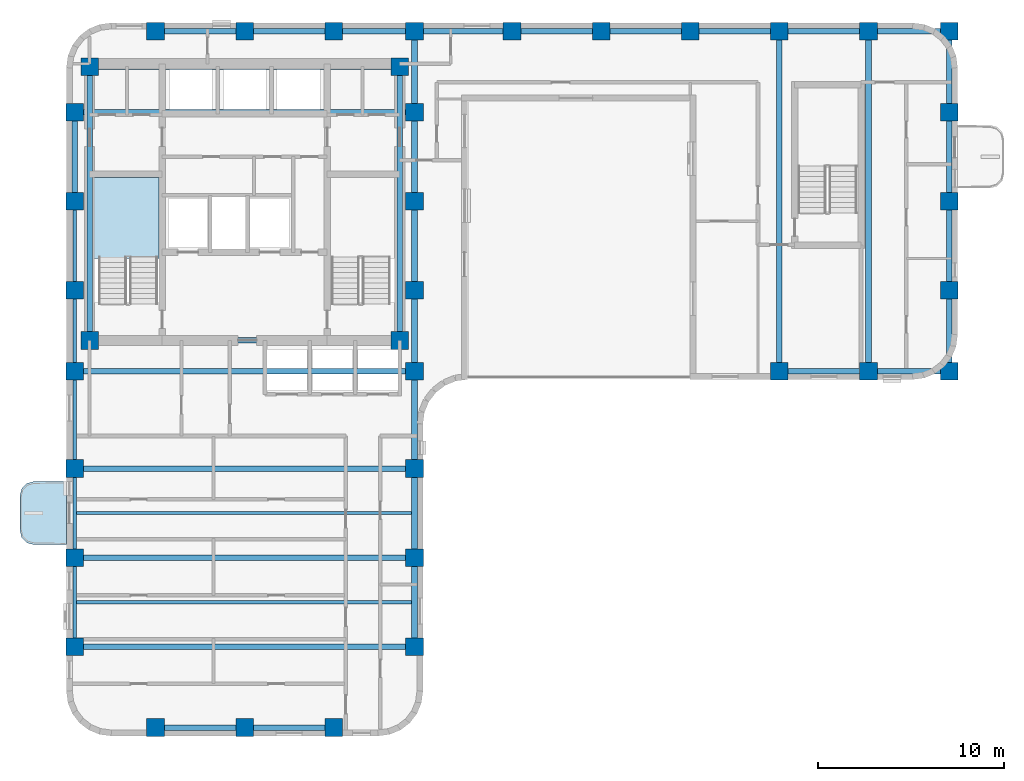
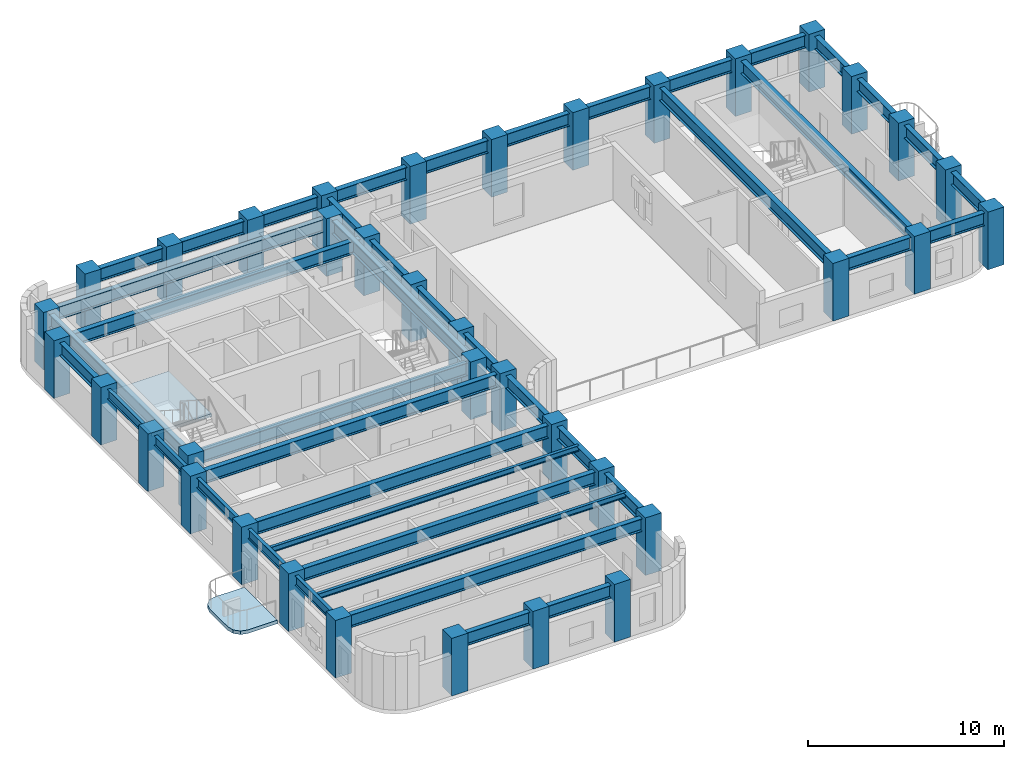
# One storey, part 1 of 9: 43 beams, 37 columns, 2 slabs, 1 element without a shape of its own.
"""IFC4 building model written with IfcOpenShell, lengths in metres."""

from ifc_helpers import new_model, si_unit, direction, frame, origin, origin_2d, place, context, subcontext, project, spatial, polyline, rectangle, i_section, outline, extrude, material, layer, layer_set, material_profile, profile_set, type_object, element, aggregate, save


model = new_model("IFC4")

# Units and contexts
model_context = context("Model", 3, precision=1e-05, world=origin(), true_north=direction((0.0, 1.0)))
body_context = subcontext(model_context, "Body", "Model", "MODEL_VIEW")
ifc_project = project(units=[si_unit("LENGTHUNIT", "METRE"), si_unit("AREAUNIT", "SQUARE_METRE"), si_unit("VOLUMEUNIT", "CUBIC_METRE"), si_unit("PLANEANGLEUNIT", "RADIAN"), si_unit("MASSUNIT", "GRAM", prefix="KILO")], contexts=[model_context])

# Site, building, storey
site_placement = place(None, origin())
site = spatial("IfcSite", under=ifc_project, at=site_placement, CompositionType="ELEMENT")
building_placement = place(site_placement, origin())
building = spatial("IfcBuilding", under=site, at=building_placement, Name="Orvandelia Arch Residences", CompositionType="ELEMENT")
storey_placement = place(building_placement, frame((0.0, 0.0, 154.0)))
storey = spatial("IfcBuildingStorey", under=building, at=storey_placement, Name="L40", CompositionType="ELEMENT", Elevation=154.0)

# Columns
ifc_material_1 = material(Name="Concrete C60/75", Category="concrete")
ifc_material_profile_1 = material_profile(ifc_material_1, rectangle(XDim=0.949951171875, YDim=0.949951171875, at=origin_2d()), Name="Concrete C60/75", Category="concrete")
ifc_profile_set_1 = profile_set([ifc_material_profile_1], Name="Concrete C60/75")
column_type = type_object("IfcColumnType", Name="COL-TWR-950", PredefinedType="COLUMN", material=ifc_profile_set_1)
for number, where, z_axis, x_axis, name in (
    (1, (5.25, 14.39990234375, 0.0), (0.0, 0.0, 1.0), (1.0, 0.0, 0.0), "Structural Column L40-W-W-144"),
    (2, (5.25, 19.199951171875, 0.0), (0.0, 0.0, 1.0), (1.0, 0.0, 0.0), "Structural Column L40-W-W-192"),
    (3, (5.25, 24.0, 0.0), (0.0, 0.0, 1.0), (1.0, 0.0, 0.0), "Structural Column L40-W-W-240"),
    (4, (5.25, 29.25, 0.0), (0.0, 0.0, 1.0), (1.0, 0.0, 0.0), "Structural Column L40-W-W-292"),
    (5, (5.25, 33.60009765625, 0.0), (0.0, 0.0, 1.0), (1.0, 0.0, 0.0), "Structural Column L40-W-W-336"),
    (6, (5.25, 38.39990234375, 0.0), (0.0, 0.0, 1.0), (1.0, 0.0, 0.0), "Structural Column L40-W-W-384"),
    (7, (5.25, 43.199951171875, 0.0), (0.0, 0.0, 1.0), (1.0, 0.0, 0.0), "Structural Column L40-W-W-432"),
    (8, (6.050048828125, 30.89990234375, 0.0), (0.0, 0.0, 1.0), (1.0, 0.0, 0.0), "Structural Column L40-CR-SW"),
    (9, (6.050048828125, 45.64990234375, 0.0), (0.0, 0.0, 1.0), (1.0, 0.0, 0.0), "Structural Column L40-CR-NW"),
    (10, (9.60009765625, 10.050048828125, 0.0), (0.0, 0.0, 1.0), (1.0, 0.0, 0.0), "Structural Column L40-W-S-96"),
    (11, (9.60009765625, 47.550048828125, 0.0), (0.0, 0.0, 1.0), (1.0, 0.0, 0.0), "Structural Column L40-W-N-96"),
    (12, (14.39990234375, 10.050048828125, 0.0), (0.0, 0.0, 1.0), (1.0, 0.0, 0.0), "Structural Column L40-W-S-144"),
    (13, (14.39990234375, 47.550048828125, 0.0), (0.0, 0.0, 1.0), (1.0, 0.0, 0.0), "Structural Column L40-W-N-144"),
    (14, (19.199951171875, 10.050048828125, 0.0), (0.0, 0.0, 1.0), (1.0, 0.0, 0.0), "Structural Column L40-W-S-192"),
    (15, (19.199951171875, 47.550048828125, 0.0), (0.0, 0.0, 1.0), (1.0, 0.0, 0.0), "Structural Column L40-W-N-192"),
    (16, (22.75, 30.89990234375, 0.0), (0.0, 0.0, 1.0), (1.0, 0.0, 0.0), "Structural Column L40-CR-SE"),
    (17, (22.75, 45.64990234375, 0.0), (0.0, 0.0, 1.0), (1.0, 0.0, 0.0), "Structural Column L40-CR-NE"),
    (18, (23.550048828125, 14.39990234375, 0.0), (0.0, 0.0, 1.0), (1.0, 0.0, 0.0), "Structural Column L40-W-E-144"),
    (19, (23.550048828125, 19.199951171875, 0.0), (0.0, 0.0, 1.0), (1.0, 0.0, 0.0), "Structural Column L40-W-E-192"),
    (20, (23.550048828125, 24.0, 0.0), (0.0, 0.0, 1.0), (1.0, 0.0, 0.0), "Structural Column L40-W-E-240"),
    (21, (23.550048828125, 29.25, 0.0), (0.0, 0.0, 1.0), (1.0, 0.0, 0.0), "Structural Column L40-W-E-292"),
    (22, (23.550048828125, 33.60009765625, 0.0), (0.0, 0.0, 1.0), (1.0, 0.0, 0.0), "Structural Column L40-W-E-336"),
    (23, (23.550048828125, 38.39990234375, 0.0), (0.0, 0.0, 1.0), (1.0, 0.0, 0.0), "Structural Column L40-W-E-384"),
    (24, (23.550048828125, 43.199951171875, 0.0), (0.0, 0.0, 1.0), (1.0, 0.0, 0.0), "Structural Column L40-W-E-432"),
    (25, (23.550048828125, 47.550048828125, 0.0), (0.0, 0.0, 1.0), (1.0, 0.0, 0.0), "Structural Column L40-W-N-235"),
    (26, (28.800048828125, 47.550048828125, 0.0), (0.0, 0.0, 1.0), (1.0, 0.0, 0.0), "Structural Column L40-E-N-288"),
    (27, (33.60009765625, 47.550048828125, 0.0), (0.0, 0.0, 1.0), (1.0, 0.0, 0.0), "Structural Column L40-E-N-336"),
    (28, (38.39990234375, 47.550048828125, 0.0), (0.0, 0.0, 1.0), (1.0, 0.0, 0.0), "Structural Column L40-E-N-384"),
    (29, (43.199951171875, 29.25, 0.0), (0.0, 0.0, 1.0), (1.0, 0.0, 0.0), "Structural Column L40-E-S-432"),
    (30, (43.199951171875, 47.550048828125, 0.0), (0.0, 0.0, 1.0), (1.0, 0.0, 0.0), "Structural Column L40-E-N-432"),
    (31, (48.0, 29.25, 0.0), (0.0, 0.0, 1.0), (1.0, 0.0, 0.0), "Structural Column L40-E-S-480"),
    (32, (48.0, 47.550048828125, 0.0), (0.0, 0.0, 1.0), (1.0, 0.0, 0.0), "Structural Column L40-E-N-480"),
    (33, (52.35009765625, 29.25, 0.0), (0.0, 0.0, 1.0), (1.0, 0.0, 0.0), "Structural Column L40-E-S-523"),
    (34, (52.35009765625, 33.60009765625, 0.0), (0.0, 0.0, 1.0), (1.0, 0.0, 0.0), "Structural Column L40-E-523-336"),
    (35, (52.35009765625, 38.39990234375, 0.0), (0.0, 0.0, 1.0), (1.0, 0.0, 0.0), "Structural Column L40-E-523-384"),
    (36, (52.35009765625, 43.199951171875, 0.0), (0.0, 0.0, 1.0), (1.0, 0.0, 0.0), "Structural Column L40-E-523-432"),
    (37, (52.35009765625, 47.550048828125, 0.0), (0.0, 0.0, 1.0), (1.0, 0.0, 0.0), "Structural Column L40-E-N-523"),
):
    element("IfcColumn", number, at=place(storey_placement, frame(where, z_axis=z_axis, x_axis=x_axis)), inside=storey, type_object=column_type, Name=name, PredefinedType="COLUMN", context=body_context, shape_type="SweptSolid", body=[
        extrude(rectangle(XDim=0.949951171875, YDim=0.949951171875, at=origin_2d()), origin(), (0.0, 0.0, 1.0), 3.60009765625),
    ])

# Beams
ifc_material_2 = material(Name="Structural Steel SM355 (355 MPa)", Category="steel")
ifc_material_profile_2 = material_profile(ifc_material_2, i_section(OverallWidth=0.300048828125, OverallDepth=0.800048828125, WebThickness=0.013916015625, FlangeThickness=0.02587890625, FilletRadius=0.02587890625, at=origin_2d()), Name="Structural Steel SM355 (355 MPa)", Category="steel")
ifc_profile_set_2 = profile_set([ifc_material_profile_2], Name="Structural Steel SM355 (355 MPa)")
beam_type_1 = type_object("IfcBeamType", Name="BM-GRD-H800", PredefinedType="BEAM", material=ifc_profile_set_2)
beam_1_placement = place(storey_placement, frame((5.25, 38.39990234375, 2.9599609375), z_axis=(0.0, 1.0, 0.0), x_axis=(-1.0, 0.0, 0.0)))
element("IfcBeam", 38, at=beam_1_placement, inside=storey, type_object=beam_type_1, Name="Structural Frame Beam L40-NS-006", PredefinedType="BEAM", context=body_context, shape_type="SweptSolid", body=[
    extrude(i_section(OverallWidth=0.300048828125, OverallDepth=0.800048828125, WebThickness=0.013916015625, FlangeThickness=0.02587890625, FilletRadius=0.02587890625, at=origin_2d()), origin(), (0.0, 0.0, 1.0), 4.800048828125),
])
for number, where, z_axis, x_axis, name in (
    (39, (6.050048828125, 30.89990234375, 2.9599609375), (0.0, 1.0, 0.0), (-1.0, 0.0, 0.0), "Structural Frame Beam L40-NS-007"),
    (40, (22.75, 30.89990234375, 2.9599609375), (0.0, 1.0, 0.0), (-1.0, 0.0, 0.0), "Structural Frame Beam L40-NS-008"),
):
    element("IfcBeam", number, at=place(storey_placement, frame(where, z_axis=z_axis, x_axis=x_axis)), inside=storey, type_object=beam_type_1, Name=name, PredefinedType="BEAM", context=body_context, shape_type="SweptSolid", body=[
        extrude(i_section(OverallWidth=0.300048828125, OverallDepth=0.800048828125, WebThickness=0.013916015625, FlangeThickness=0.02587890625, FilletRadius=0.02587890625, at=origin_2d()), origin(), (0.0, 0.0, 1.0), 14.75),
    ])
for number, where, z_axis, x_axis, name in (
    (41, (23.550048828125, 14.39990234375, 2.9599609375), (0.0, 1.0, 0.0), (-1.0, 0.0, 0.0), "Structural Frame Beam L40-NS-009"),
    (42, (23.550048828125, 19.199951171875, 2.9599609375), (0.0, 1.0, 0.0), (-1.0, 0.0, 0.0), "Structural Frame Beam L40-NS-010"),
):
    element("IfcBeam", number, at=place(storey_placement, frame(where, z_axis=z_axis, x_axis=x_axis)), inside=storey, type_object=beam_type_1, Name=name, PredefinedType="BEAM", context=body_context, shape_type="SweptSolid", body=[
        extrude(i_section(OverallWidth=0.300048828125, OverallDepth=0.800048828125, WebThickness=0.013916015625, FlangeThickness=0.02587890625, FilletRadius=0.02587890625, at=origin_2d()), origin(), (0.0, 0.0, 1.0), 4.800048828125),
    ])
beam_2_placement = place(storey_placement, frame((23.550048828125, 24.0, 2.9599609375), z_axis=(0.0, 1.0, 0.0), x_axis=(-1.0, 0.0, 0.0)))
element("IfcBeam", 43, at=beam_2_placement, inside=storey, type_object=beam_type_1, Name="Structural Frame Beam L40-NS-011", PredefinedType="BEAM", context=body_context, shape_type="SweptSolid", body=[
    extrude(i_section(OverallWidth=0.300048828125, OverallDepth=0.800048828125, WebThickness=0.013916015625, FlangeThickness=0.02587890625, FilletRadius=0.02587890625, at=origin_2d()), origin(), (0.0, 0.0, 1.0), 5.25),
])
beam_3_placement = place(storey_placement, frame((23.550048828125, 29.25, 2.9599609375), z_axis=(0.0, 1.0, 0.0), x_axis=(-1.0, 0.0, 0.0)))
element("IfcBeam", 44, at=beam_3_placement, inside=storey, type_object=beam_type_1, Name="Structural Frame Beam L40-NS-012", PredefinedType="BEAM", context=body_context, shape_type="SweptSolid", body=[
    extrude(i_section(OverallWidth=0.300048828125, OverallDepth=0.800048828125, WebThickness=0.013916015625, FlangeThickness=0.02587890625, FilletRadius=0.02587890625, at=origin_2d()), origin(), (0.0, 0.0, 1.0), 4.35009765625),
])
beam_4_placement = place(storey_placement, frame((23.550048828125, 33.60009765625, 2.9599609375), z_axis=(0.0, 1.0, 0.0), x_axis=(-1.0, 0.0, 0.0)))
element("IfcBeam", 45, at=beam_4_placement, inside=storey, type_object=beam_type_1, Name="Structural Frame Beam L40-NS-013", PredefinedType="BEAM", context=body_context, shape_type="SweptSolid", body=[
    extrude(i_section(OverallWidth=0.300048828125, OverallDepth=0.800048828125, WebThickness=0.013916015625, FlangeThickness=0.02587890625, FilletRadius=0.02587890625, at=origin_2d()), origin(), (0.0, 0.0, 1.0), 4.7998046875),
])
beam_5_placement = place(storey_placement, frame((23.550048828125, 38.39990234375, 2.9599609375), z_axis=(0.0, 1.0, 0.0), x_axis=(-1.0, 0.0, 0.0)))
element("IfcBeam", 46, at=beam_5_placement, inside=storey, type_object=beam_type_1, Name="Structural Frame Beam L40-NS-014", PredefinedType="BEAM", context=body_context, shape_type="SweptSolid", body=[
    extrude(i_section(OverallWidth=0.300048828125, OverallDepth=0.800048828125, WebThickness=0.013916015625, FlangeThickness=0.02587890625, FilletRadius=0.02587890625, at=origin_2d()), origin(), (0.0, 0.0, 1.0), 4.800048828125),
])
beam_6_placement = place(storey_placement, frame((23.550048828125, 43.199951171875, 2.9599609375), z_axis=(0.0, 1.0, 0.0), x_axis=(-1.0, 0.0, 0.0)))
element("IfcBeam", 47, at=beam_6_placement, inside=storey, type_object=beam_type_1, Name="Structural Frame Beam L40-NS-015", PredefinedType="BEAM", context=body_context, shape_type="SweptSolid", body=[
    extrude(i_section(OverallWidth=0.300048828125, OverallDepth=0.800048828125, WebThickness=0.013916015625, FlangeThickness=0.02587890625, FilletRadius=0.02587890625, at=origin_2d()), origin(), (0.0, 0.0, 1.0), 4.35009765625),
])
for number, where, z_axis, x_axis, name in (
    (48, (43.199951171875, 29.25, 2.9599609375), (0.0, 1.0, 0.0), (-1.0, 0.0, 0.0), "Structural Frame Beam L40-NS-016"),
    (49, (48.0, 29.25, 2.9599609375), (0.0, 1.0, 0.0), (-1.0, 0.0, 0.0), "Structural Frame Beam L40-NS-017"),
):
    element("IfcBeam", number, at=place(storey_placement, frame(where, z_axis=z_axis, x_axis=x_axis)), inside=storey, type_object=beam_type_1, Name=name, PredefinedType="BEAM", context=body_context, shape_type="SweptSolid", body=[
        extrude(i_section(OverallWidth=0.300048828125, OverallDepth=0.800048828125, WebThickness=0.013916015625, FlangeThickness=0.02587890625, FilletRadius=0.02587890625, at=origin_2d()), origin(), (0.0, 0.0, 1.0), 18.300048828125),
    ])
beam_7_placement = place(storey_placement, frame((52.35009765625, 29.25, 2.9599609375), z_axis=(0.0, 1.0, 0.0), x_axis=(-1.0, 0.0, 0.0)))
element("IfcBeam", 50, at=beam_7_placement, inside=storey, type_object=beam_type_1, Name="Structural Frame Beam L40-NS-018", PredefinedType="BEAM", context=body_context, shape_type="SweptSolid", body=[
    extrude(i_section(OverallWidth=0.300048828125, OverallDepth=0.800048828125, WebThickness=0.013916015625, FlangeThickness=0.02587890625, FilletRadius=0.02587890625, at=origin_2d()), origin(), (0.0, 0.0, 1.0), 4.35009765625),
])
beam_8_placement = place(storey_placement, frame((52.35009765625, 33.60009765625, 2.9599609375), z_axis=(0.0, 1.0, 0.0), x_axis=(-1.0, 0.0, 0.0)))
element("IfcBeam", 51, at=beam_8_placement, inside=storey, type_object=beam_type_1, Name="Structural Frame Beam L40-NS-019", PredefinedType="BEAM", context=body_context, shape_type="SweptSolid", body=[
    extrude(i_section(OverallWidth=0.300048828125, OverallDepth=0.800048828125, WebThickness=0.013916015625, FlangeThickness=0.02587890625, FilletRadius=0.02587890625, at=origin_2d()), origin(), (0.0, 0.0, 1.0), 4.7998046875),
])
beam_9_placement = place(storey_placement, frame((52.35009765625, 38.39990234375, 2.9599609375), z_axis=(0.0, 1.0, 0.0), x_axis=(-1.0, 0.0, 0.0)))
element("IfcBeam", 52, at=beam_9_placement, inside=storey, type_object=beam_type_1, Name="Structural Frame Beam L40-NS-020", PredefinedType="BEAM", context=body_context, shape_type="SweptSolid", body=[
    extrude(i_section(OverallWidth=0.300048828125, OverallDepth=0.800048828125, WebThickness=0.013916015625, FlangeThickness=0.02587890625, FilletRadius=0.02587890625, at=origin_2d()), origin(), (0.0, 0.0, 1.0), 4.800048828125),
])
beam_10_placement = place(storey_placement, frame((52.35009765625, 43.199951171875, 2.9599609375), z_axis=(0.0, 1.0, 0.0), x_axis=(-1.0, 0.0, 0.0)))
element("IfcBeam", 53, at=beam_10_placement, inside=storey, type_object=beam_type_1, Name="Structural Frame Beam L40-NS-021", PredefinedType="BEAM", context=body_context, shape_type="SweptSolid", body=[
    extrude(i_section(OverallWidth=0.300048828125, OverallDepth=0.800048828125, WebThickness=0.013916015625, FlangeThickness=0.02587890625, FilletRadius=0.02587890625, at=origin_2d()), origin(), (0.0, 0.0, 1.0), 4.35009765625),
])
beam_11_placement = place(storey_placement, frame((9.60009765625, 10.050048828125, 2.9599609375), z_axis=(1.0, 0.0, 0.0), x_axis=(0.0, 1.0, 0.0)))
element("IfcBeam", 54, at=beam_11_placement, inside=storey, type_object=beam_type_1, Name="Structural Frame Girder L40-EW-022", PredefinedType="BEAM", context=body_context, shape_type="SweptSolid", body=[
    extrude(i_section(OverallWidth=0.300048828125, OverallDepth=0.800048828125, WebThickness=0.013916015625, FlangeThickness=0.02587890625, FilletRadius=0.02587890625, at=origin_2d()), origin(), (0.0, 0.0, 1.0), 4.7998046875),
])
beam_12_placement = place(storey_placement, frame((14.39990234375, 10.050048828125, 2.9599609375), z_axis=(1.0, 0.0, 0.0), x_axis=(0.0, 1.0, 0.0)))
element("IfcBeam", 55, at=beam_12_placement, inside=storey, type_object=beam_type_1, Name="Structural Frame Girder L40-EW-023", PredefinedType="BEAM", context=body_context, shape_type="SweptSolid", body=[
    extrude(i_section(OverallWidth=0.300048828125, OverallDepth=0.800048828125, WebThickness=0.013916015625, FlangeThickness=0.02587890625, FilletRadius=0.02587890625, at=origin_2d()), origin(), (0.0, 0.0, 1.0), 4.800048828125),
])
for number, where, z_axis, x_axis, name in (
    (56, (5.25, 14.39990234375, 2.9599609375), (1.0, 0.0, 0.0), (0.0, 1.0, 0.0), "Structural Frame Girder L40-EW-024"),
    (57, (5.25, 19.199951171875, 2.9599609375), (1.0, 0.0, 0.0), (0.0, 1.0, 0.0), "Structural Frame Girder L40-EW-025"),
    (58, (5.25, 24.0, 2.9599609375), (1.0, 0.0, 0.0), (0.0, 1.0, 0.0), "Structural Frame Girder L40-EW-026"),
    (59, (5.25, 29.25, 2.9599609375), (1.0, 0.0, 0.0), (0.0, 1.0, 0.0), "Structural Frame Girder L40-EW-027"),
):
    element("IfcBeam", number, at=place(storey_placement, frame(where, z_axis=z_axis, x_axis=x_axis)), inside=storey, type_object=beam_type_1, Name=name, PredefinedType="BEAM", context=body_context, shape_type="SweptSolid", body=[
        extrude(i_section(OverallWidth=0.300048828125, OverallDepth=0.800048828125, WebThickness=0.013916015625, FlangeThickness=0.02587890625, FilletRadius=0.02587890625, at=origin_2d()), origin(), (0.0, 0.0, 1.0), 18.300048828125),
    ])
beam_13_placement = place(storey_placement, frame((43.199951171875, 29.25, 2.9599609375), z_axis=(1.0, 0.0, 0.0), x_axis=(0.0, 1.0, 0.0)))
element("IfcBeam", 60, at=beam_13_placement, inside=storey, type_object=beam_type_1, Name="Structural Frame Girder L40-EW-028", PredefinedType="BEAM", context=body_context, shape_type="SweptSolid", body=[
    extrude(i_section(OverallWidth=0.300048828125, OverallDepth=0.800048828125, WebThickness=0.013916015625, FlangeThickness=0.02587890625, FilletRadius=0.02587890625, at=origin_2d()), origin(), (0.0, 0.0, 1.0), 4.800048828125),
])
beam_14_placement = place(storey_placement, frame((48.0, 29.25, 2.9599609375), z_axis=(1.0, 0.0, 0.0), x_axis=(0.0, 1.0, 0.0)))
element("IfcBeam", 61, at=beam_14_placement, inside=storey, type_object=beam_type_1, Name="Structural Frame Girder L40-EW-029", PredefinedType="BEAM", context=body_context, shape_type="SweptSolid", body=[
    extrude(i_section(OverallWidth=0.300048828125, OverallDepth=0.800048828125, WebThickness=0.013916015625, FlangeThickness=0.02587890625, FilletRadius=0.02587890625, at=origin_2d()), origin(), (0.0, 0.0, 1.0), 4.35009765625),
])
beam_15_placement = place(storey_placement, frame((6.050048828125, 30.89990234375, 2.9599609375), z_axis=(1.0, 0.0, 0.0), x_axis=(0.0, 1.0, 0.0)))
element("IfcBeam", 62, at=beam_15_placement, inside=storey, type_object=beam_type_1, Name="Structural Frame Girder L40-EW-030", PredefinedType="BEAM", context=body_context, shape_type="SweptSolid", body=[
    extrude(i_section(OverallWidth=0.300048828125, OverallDepth=0.800048828125, WebThickness=0.013916015625, FlangeThickness=0.02587890625, FilletRadius=0.02587890625, at=origin_2d()), origin(), (0.0, 0.0, 1.0), 16.699951171875),
])
beam_16_placement = place(storey_placement, frame((5.25, 43.199951171875, 2.9599609375), z_axis=(1.0, 0.0, 0.0), x_axis=(0.0, 1.0, 0.0)))
element("IfcBeam", 63, at=beam_16_placement, inside=storey, type_object=beam_type_1, Name="Structural Frame Girder L40-EW-033", PredefinedType="BEAM", context=body_context, shape_type="SweptSolid", body=[
    extrude(i_section(OverallWidth=0.300048828125, OverallDepth=0.800048828125, WebThickness=0.013916015625, FlangeThickness=0.02587890625, FilletRadius=0.02587890625, at=origin_2d()), origin(), (0.0, 0.0, 1.0), 18.300048828125),
])
beam_17_placement = place(storey_placement, frame((6.050048828125, 45.64990234375, 2.9599609375), z_axis=(1.0, 0.0, 0.0), x_axis=(0.0, 1.0, 0.0)))
element("IfcBeam", 64, at=beam_17_placement, inside=storey, type_object=beam_type_1, Name="Structural Frame Girder L40-EW-034", PredefinedType="BEAM", context=body_context, shape_type="SweptSolid", body=[
    extrude(i_section(OverallWidth=0.300048828125, OverallDepth=0.800048828125, WebThickness=0.013916015625, FlangeThickness=0.02587890625, FilletRadius=0.02587890625, at=origin_2d()), origin(), (0.0, 0.0, 1.0), 16.699951171875),
])
beam_18_placement = place(storey_placement, frame((9.60009765625, 47.550048828125, 2.9599609375), z_axis=(1.0, 0.0, 0.0), x_axis=(0.0, 1.0, 0.0)))
element("IfcBeam", 65, at=beam_18_placement, inside=storey, type_object=beam_type_1, Name="Structural Frame Girder L40-EW-035", PredefinedType="BEAM", context=body_context, shape_type="SweptSolid", body=[
    extrude(i_section(OverallWidth=0.300048828125, OverallDepth=0.800048828125, WebThickness=0.013916015625, FlangeThickness=0.02587890625, FilletRadius=0.02587890625, at=origin_2d()), origin(), (0.0, 0.0, 1.0), 4.7998046875),
])
beam_19_placement = place(storey_placement, frame((14.39990234375, 47.550048828125, 2.9599609375), z_axis=(1.0, 0.0, 0.0), x_axis=(0.0, 1.0, 0.0)))
element("IfcBeam", 66, at=beam_19_placement, inside=storey, type_object=beam_type_1, Name="Structural Frame Girder L40-EW-036", PredefinedType="BEAM", context=body_context, shape_type="SweptSolid", body=[
    extrude(i_section(OverallWidth=0.300048828125, OverallDepth=0.800048828125, WebThickness=0.013916015625, FlangeThickness=0.02587890625, FilletRadius=0.02587890625, at=origin_2d()), origin(), (0.0, 0.0, 1.0), 4.800048828125),
])
beam_20_placement = place(storey_placement, frame((19.199951171875, 47.550048828125, 2.9599609375), z_axis=(1.0, 0.0, 0.0), x_axis=(0.0, 1.0, 0.0)))
element("IfcBeam", 67, at=beam_20_placement, inside=storey, type_object=beam_type_1, Name="Structural Frame Girder L40-EW-037", PredefinedType="BEAM", context=body_context, shape_type="SweptSolid", body=[
    extrude(i_section(OverallWidth=0.300048828125, OverallDepth=0.800048828125, WebThickness=0.013916015625, FlangeThickness=0.02587890625, FilletRadius=0.02587890625, at=origin_2d()), origin(), (0.0, 0.0, 1.0), 4.35009765625),
])
beam_21_placement = place(storey_placement, frame((23.550048828125, 47.550048828125, 2.9599609375), z_axis=(1.0, 0.0, 0.0), x_axis=(0.0, 1.0, 0.0)))
element("IfcBeam", 68, at=beam_21_placement, inside=storey, type_object=beam_type_1, Name="Structural Frame Girder L40-EW-038", PredefinedType="BEAM", context=body_context, shape_type="SweptSolid", body=[
    extrude(i_section(OverallWidth=0.300048828125, OverallDepth=0.800048828125, WebThickness=0.013916015625, FlangeThickness=0.02587890625, FilletRadius=0.02587890625, at=origin_2d()), origin(), (0.0, 0.0, 1.0), 5.25),
])
beam_22_placement = place(storey_placement, frame((28.800048828125, 47.550048828125, 2.9599609375), z_axis=(1.0, 0.0, 0.0), x_axis=(0.0, 1.0, 0.0)))
element("IfcBeam", 69, at=beam_22_placement, inside=storey, type_object=beam_type_1, Name="Structural Frame Girder L40-EW-039", PredefinedType="BEAM", context=body_context, shape_type="SweptSolid", body=[
    extrude(i_section(OverallWidth=0.300048828125, OverallDepth=0.800048828125, WebThickness=0.013916015625, FlangeThickness=0.02587890625, FilletRadius=0.02587890625, at=origin_2d()), origin(), (0.0, 0.0, 1.0), 4.800048828125),
])
beam_23_placement = place(storey_placement, frame((33.60009765625, 47.550048828125, 2.9599609375), z_axis=(1.0, 0.0, 0.0), x_axis=(0.0, 1.0, 0.0)))
element("IfcBeam", 70, at=beam_23_placement, inside=storey, type_object=beam_type_1, Name="Structural Frame Girder L40-EW-040", PredefinedType="BEAM", context=body_context, shape_type="SweptSolid", body=[
    extrude(i_section(OverallWidth=0.300048828125, OverallDepth=0.800048828125, WebThickness=0.013916015625, FlangeThickness=0.02587890625, FilletRadius=0.02587890625, at=origin_2d()), origin(), (0.0, 0.0, 1.0), 4.7998046875),
])
for number, where, z_axis, x_axis, name in (
    (71, (38.39990234375, 47.550048828125, 2.9599609375), (1.0, 0.0, 0.0), (0.0, 1.0, 0.0), "Structural Frame Girder L40-EW-041"),
    (72, (43.199951171875, 47.550048828125, 2.9599609375), (1.0, 0.0, 0.0), (0.0, 1.0, 0.0), "Structural Frame Girder L40-EW-042"),
):
    element("IfcBeam", number, at=place(storey_placement, frame(where, z_axis=z_axis, x_axis=x_axis)), inside=storey, type_object=beam_type_1, Name=name, PredefinedType="BEAM", context=body_context, shape_type="SweptSolid", body=[
        extrude(i_section(OverallWidth=0.300048828125, OverallDepth=0.800048828125, WebThickness=0.013916015625, FlangeThickness=0.02587890625, FilletRadius=0.02587890625, at=origin_2d()), origin(), (0.0, 0.0, 1.0), 4.800048828125),
    ])
beam_24_placement = place(storey_placement, frame((48.0, 47.550048828125, 2.9599609375), z_axis=(1.0, 0.0, 0.0), x_axis=(0.0, 1.0, 0.0)))
element("IfcBeam", 73, at=beam_24_placement, inside=storey, type_object=beam_type_1, Name="Structural Frame Girder L40-EW-043", PredefinedType="BEAM", context=body_context, shape_type="SweptSolid", body=[
    extrude(i_section(OverallWidth=0.300048828125, OverallDepth=0.800048828125, WebThickness=0.013916015625, FlangeThickness=0.02587890625, FilletRadius=0.02587890625, at=origin_2d()), origin(), (0.0, 0.0, 1.0), 4.35009765625),
])
ifc_material_profile_3 = material_profile(ifc_material_2, i_section(OverallWidth=0.175048828125, OverallDepth=0.35009765625, WebThickness=0.007080078125, FlangeThickness=0.010986328125, FilletRadius=0.012939453125, at=origin_2d()), Name="Structural Steel SM355 (355 MPa)", Category="steel")
ifc_profile_set_3 = profile_set([ifc_material_profile_3], Name="Structural Steel SM355 (355 MPa)")
beam_type_2 = type_object("IfcBeamType", Name="BM-JST-H350", PredefinedType="JOIST", material=ifc_profile_set_3)
for number, where, z_axis, x_axis, name in (
    (74, (5.25, 16.800048828125, 3.18505859375), (1.0, 0.0, 0.0), (0.0, 1.0, 0.0), "Composite Floor Joist L40-J1"),
    (75, (5.25, 21.60009765625, 3.18505859375), (1.0, 0.0, 0.0), (0.0, 1.0, 0.0), "Composite Floor Joist L40-J2"),
):
    element("IfcBeam", number, at=place(storey_placement, frame(where, z_axis=z_axis, x_axis=x_axis)), inside=storey, type_object=beam_type_2, Name=name, PredefinedType="JOIST", context=body_context, shape_type="SweptSolid", body=[
        extrude(i_section(OverallWidth=0.175048828125, OverallDepth=0.35009765625, WebThickness=0.007080078125, FlangeThickness=0.010986328125, FilletRadius=0.012939453125, at=origin_2d()), origin(), (0.0, 0.0, 1.0), 18.300048828125),
    ])
ifc_material_profile_4 = material_profile(ifc_material_2, i_section(OverallWidth=0.199951171875, OverallDepth=0.60009765625, WebThickness=0.010986328125, FlangeThickness=0.01708984375, FilletRadius=0.02197265625, at=origin_2d()), Name="Structural Steel SM355 (355 MPa)", Category="steel")
ifc_profile_set_4 = profile_set([ifc_material_profile_4], Name="Structural Steel SM355 (355 MPa)")
beam_type_3 = type_object("IfcBeamType", Name="BM-SPN-H600", PredefinedType="SPANDREL", material=ifc_profile_set_4)
for number, where, z_axis, x_axis, name in (
    (76, (5.25, 14.39990234375, 3.06005859375), (0.0, 1.0, 0.0), (-1.0, 0.0, 0.0), "Structural Frame Beam L40-NS-001"),
    (77, (5.25, 19.199951171875, 3.06005859375), (0.0, 1.0, 0.0), (-1.0, 0.0, 0.0), "Structural Frame Beam L40-NS-002"),
):
    element("IfcBeam", number, at=place(storey_placement, frame(where, z_axis=z_axis, x_axis=x_axis)), inside=storey, type_object=beam_type_3, Name=name, PredefinedType="SPANDREL", context=body_context, shape_type="SweptSolid", body=[
        extrude(i_section(OverallWidth=0.199951171875, OverallDepth=0.60009765625, WebThickness=0.010986328125, FlangeThickness=0.01708984375, FilletRadius=0.02197265625, at=origin_2d()), origin(), (0.0, 0.0, 1.0), 4.800048828125),
    ])
beam_25_placement = place(storey_placement, frame((5.25, 24.0, 3.06005859375), z_axis=(0.0, 1.0, 0.0), x_axis=(-1.0, 0.0, 0.0)))
element("IfcBeam", 78, at=beam_25_placement, inside=storey, type_object=beam_type_3, Name="Structural Frame Beam L40-NS-003", PredefinedType="SPANDREL", context=body_context, shape_type="SweptSolid", body=[
    extrude(i_section(OverallWidth=0.199951171875, OverallDepth=0.60009765625, WebThickness=0.010986328125, FlangeThickness=0.01708984375, FilletRadius=0.02197265625, at=origin_2d()), origin(), (0.0, 0.0, 1.0), 5.25),
])
beam_26_placement = place(storey_placement, frame((5.25, 29.25, 3.06005859375), z_axis=(0.0, 1.0, 0.0), x_axis=(-1.0, 0.0, 0.0)))
element("IfcBeam", 79, at=beam_26_placement, inside=storey, type_object=beam_type_3, Name="Structural Frame Beam L40-NS-004", PredefinedType="SPANDREL", context=body_context, shape_type="SweptSolid", body=[
    extrude(i_section(OverallWidth=0.199951171875, OverallDepth=0.60009765625, WebThickness=0.010986328125, FlangeThickness=0.01708984375, FilletRadius=0.02197265625, at=origin_2d()), origin(), (0.0, 0.0, 1.0), 4.35009765625),
])
beam_27_placement = place(storey_placement, frame((5.25, 33.60009765625, 3.06005859375), z_axis=(0.0, 1.0, 0.0), x_axis=(-1.0, 0.0, 0.0)))
element("IfcBeam", 80, at=beam_27_placement, inside=storey, type_object=beam_type_3, Name="Structural Frame Beam L40-NS-005", PredefinedType="SPANDREL", context=body_context, shape_type="SweptSolid", body=[
    extrude(i_section(OverallWidth=0.199951171875, OverallDepth=0.60009765625, WebThickness=0.010986328125, FlangeThickness=0.01708984375, FilletRadius=0.02197265625, at=origin_2d()), origin(), (0.0, 0.0, 1.0), 4.7998046875),
])

# Slab
ifc_material_3 = material(Name="Precast concrete C40/50", Category="concrete")
ifc_layer_1 = layer(ifc_material_3, 0.219970703125, Name="Precast concrete C40/50", Category="concrete")
ifc_layer_set_1 = layer_set([ifc_layer_1], Name="Precast concrete C40/50")
slab_type_1 = type_object("IfcSlabType", Name="SLB-BAL-220", PredefinedType="USERDEFINED", material=ifc_layer_set_1)
slab_1_placement = place(storey_placement, frame((0.0, 0.0, -0.219970703125)))
element("IfcSlab", 81, at=slab_1_placement, inside=storey, type_object=slab_type_1, Name="Tree Balcony Cantilever Slab BAL-L40-W1", ObjectType="BALCONY", PredefinedType="USERDEFINED", context=body_context, shape_type="SweptSolid", body=[
    extrude(outline(polyline([(4.800048828125, 19.89990234375), (4.800048828125, 23.300048828125), (3.050048828125, 23.300048828125), (2.675048828125, 23.199462890625), (2.400390625, 22.925048828125), (2.300048828125, 22.550048828125), (2.300048828125, 20.64990234375), (2.400390625, 20.27490234375), (2.675048828125, 20.00048828125), (3.050048828125, 19.89990234375), (4.800048828125, 19.89990234375)])), origin(), (0.0, 0.0, 1.0), 0.219970703125),
])

# Stair, slab
ifc_material_4 = material(Name="Concrete C40/50", Category="concrete")
stair_type = type_object("IfcStairType", Name="STAIR-RC-DOGLEG", PredefinedType="HALF_TURN_STAIR", material=ifc_material_4)
stair_placement = place(storey_placement, origin())
stair = element("IfcStair", 82, at=stair_placement, inside=storey, type_object=stair_type, Name="L40 Protected Exit Stair ST-1", PredefinedType="HALF_TURN_STAIR")
ifc_layer_2 = layer(ifc_material_4, 0.219970703125, Name="Concrete C40/50", Category="concrete")
ifc_layer_set_2 = layer_set([ifc_layer_2], Name="Concrete C40/50")
slab_type_2 = type_object("IfcSlabType", Name="SLB-LANDING-220", PredefinedType="LANDING", material=ifc_layer_set_2)
slab_2_placement = place(storey_placement, frame((0.0, 0.0, 1.60009765625)))
slab_2 = element("IfcSlab", 83, at=slab_2_placement, type_object=slab_type_2, Name="ST-1 landing 1", PredefinedType="LANDING", context=body_context, shape_type="SweptSolid", body=[
    extrude(outline(polyline([(9.800048828125, 35.31005859375), (9.800048828125, 39.68994140625), (6.260009765625, 39.68994140625), (6.260009765625, 35.31005859375), (9.800048828125, 35.31005859375)])), origin(), (0.0, 0.0, 1.0), 0.199951171875),
])
aggregate(stair, [slab_2])

save(model, "model.ifc")
